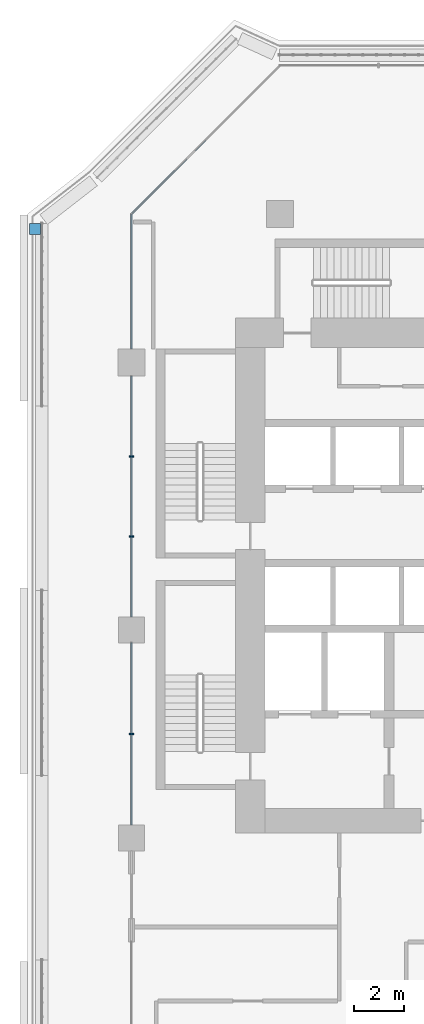
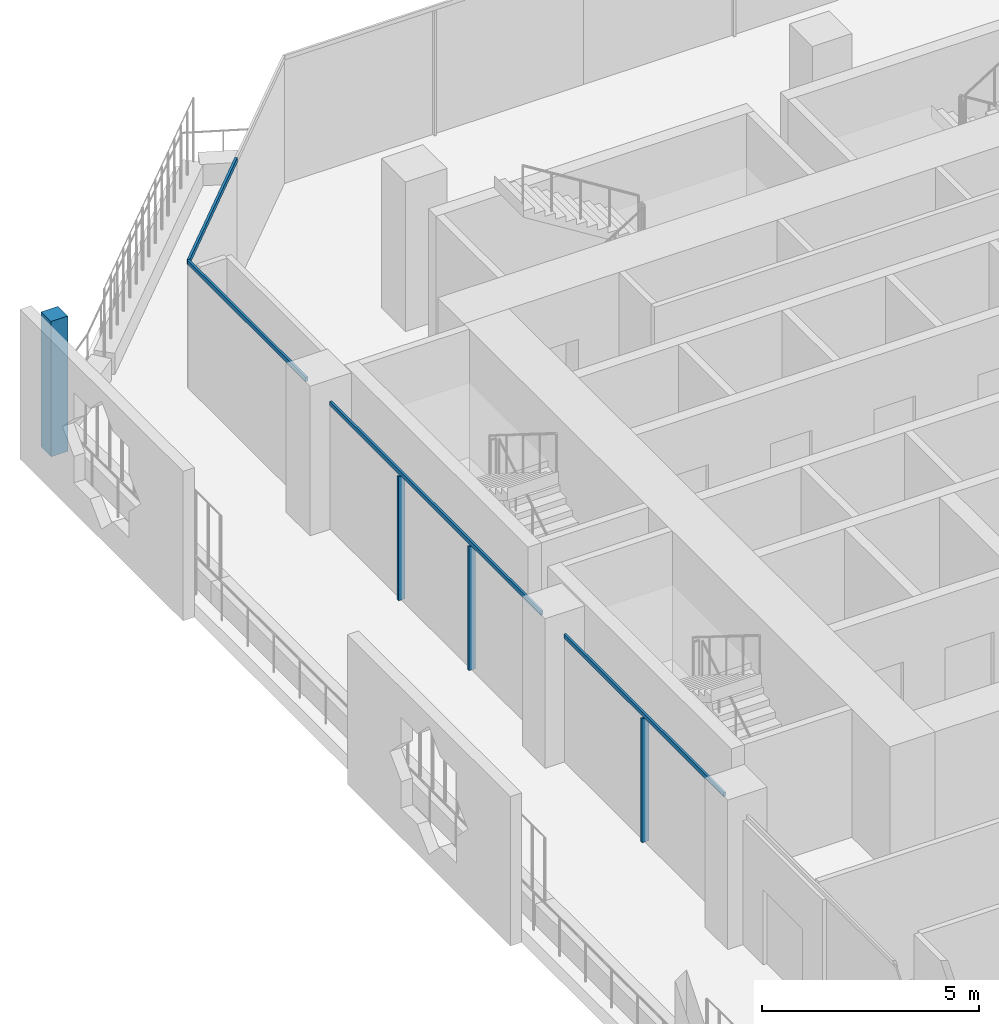
# One storey, part 5 of 25: 8 members, 3 elements without a shape of their own.
"""IFC4 building model written with IfcOpenShell, lengths in metres."""

from ifc_helpers import new_model, si_unit, direction, frame, origin, origin_2d, place, context, subcontext, project, spatial, rectangle, extrude, material, layer, layer_set, material_profile, profile_set, type_object, element, aggregate, save


model = new_model("IFC4")

# Units and contexts
model_context = context("Model", 3, precision=1e-05, world=origin(), true_north=direction((0.0, 1.0)))
body_context = subcontext(model_context, "Body", "Model", "MODEL_VIEW")
ifc_project = project(units=[si_unit("LENGTHUNIT", "METRE"), si_unit("AREAUNIT", "SQUARE_METRE"), si_unit("VOLUMEUNIT", "CUBIC_METRE"), si_unit("PLANEANGLEUNIT", "RADIAN"), si_unit("MASSUNIT", "GRAM", prefix="KILO")], contexts=[model_context])

# Site, building, storey
site_placement = place(None, origin())
site = spatial("IfcSite", under=ifc_project, at=site_placement, CompositionType="ELEMENT")
building_placement = place(site_placement, origin())
building = spatial("IfcBuilding", under=site, at=building_placement, Name="Kawkab Arch Medical Tower", CompositionType="ELEMENT")
storey_placement = place(building_placement, frame((0.0, 0.0, 145.0)))
storey = spatial("IfcBuildingStorey", under=building, at=storey_placement, Name="L33", CompositionType="ELEMENT", Elevation=145.0)

# Curtain wall, members
ifc_material_1 = material(Name="Bronze anodised aluminium curtain wall frame", Category="aluminium")
ifc_layer_1 = layer(ifc_material_1, 0.159912109375)
ifc_layer_set_1 = layer_set([ifc_layer_1], Name="Bronze anodised aluminium curtain wall frame")
curtain_wall_type_1 = type_object("IfcCurtainWallType", Name="CW1 ward curtain wall", PredefinedType="NOTDEFINED", material=ifc_layer_set_1)
placement = place(storey_placement, origin())
curtain_wall_1 = element("IfcCurtainWall", 1, at=placement, inside=storey, type_object=curtain_wall_type_1, Name="CW1 Ward curtain wall R01", PredefinedType="NOTDEFINED")
ifc_material_2 = material(Name="Bronze anodised aluminium curtain wall frame", Category="aluminium")
ifc_material_profile_1 = material_profile(ifc_material_2, rectangle(XDim=0.179931640625, YDim=0.06005859375, at=origin_2d()), Name="AL 60x180")
ifc_profile_set_1 = profile_set([ifc_material_profile_1], Name="Bronze anodised aluminium curtain wall frame")
member_type_1 = type_object("IfcMemberType", Name="CW1 mullion 60 x 180", PredefinedType="MULLION", material=ifc_profile_set_1)
member_1_placement = place(storey_placement, frame((0.0, -9.791748046875, 0.0), z_axis=(0.0, 0.0, 1.0), x_axis=(1.0, 0.0, 0.0)))
member_1 = element("IfcMember", 2, at=member_1_placement, type_object=member_type_1, Name="CW1 mullion 2.1", PredefinedType="MULLION", context=body_context, shape_type="SweptSolid", body=[
    extrude(rectangle(XDim=0.179931640625, YDim=0.06005859375, at=origin_2d()), origin(), (0.0, 0.0, 1.0), 3.47998046875),
])
member_2_placement = place(storey_placement, frame((0.0, -13.033447265625, 0.0), z_axis=(0.0, 0.0, 1.0), x_axis=(1.0, 0.0, 0.0)))
member_2 = element("IfcMember", 3, at=member_2_placement, type_object=member_type_1, Name="CW1 mullion 2.2", PredefinedType="MULLION", context=body_context, shape_type="SweptSolid", body=[
    extrude(rectangle(XDim=0.179931640625, YDim=0.06005859375, at=origin_2d()), origin(), (0.0, 0.0, 1.0), 3.47998046875),
])
member_3_placement = place(storey_placement, frame((0.0, -21.0, 0.0), z_axis=(0.0, 0.0, 1.0), x_axis=(1.0, 0.0, 0.0)))
member_3 = element("IfcMember", 4, at=member_3_placement, type_object=member_type_1, Name="CW1 mullion 3.1", PredefinedType="MULLION", context=body_context, shape_type="SweptSolid", body=[
    extrude(rectangle(XDim=0.179931640625, YDim=0.06005859375, at=origin_2d()), origin(), (0.0, 0.0, 1.0), 3.47998046875),
])
ifc_material_3 = material(Name="Bronze anodised aluminium curtain wall frame", Category="aluminium")
ifc_material_profile_2 = material_profile(ifc_material_3, rectangle(XDim=0.06005859375, YDim=0.1201171875, at=origin_2d()), Name="AL 60x120")
ifc_profile_set_2 = profile_set([ifc_material_profile_2], Name="Bronze anodised aluminium curtain wall frame")
member_type_2 = type_object("IfcMemberType", Name="CW1 transom 120 x 60", PredefinedType="USERDEFINED", material=ifc_profile_set_2)
member_4_placement = place(storey_placement, frame((0.0, 0.0, 3.5400390625), z_axis=(0.0, -1.0, 0.0), x_axis=(1.0, 0.0, 0.0)))
member_4 = element("IfcMember", 5, at=member_4_placement, type_object=member_type_2, Name="CW1 transom 1", ObjectType="TRANSOM", PredefinedType="USERDEFINED", context=body_context, shape_type="SweptSolid", body=[
    extrude(rectangle(XDim=0.06005859375, YDim=0.1201171875, at=origin_2d()), origin(), (0.0, 0.0, 1.0), 5.449951171875),
])
member_5_placement = place(storey_placement, frame((0.0, -6.550048828125, 3.5400390625), z_axis=(0.0, -1.0, 0.0), x_axis=(1.0, 0.0, 0.0)))
member_5 = element("IfcMember", 6, at=member_5_placement, type_object=member_type_2, Name="CW1 transom 2", ObjectType="TRANSOM", PredefinedType="USERDEFINED", context=body_context, shape_type="SweptSolid", body=[
    extrude(rectangle(XDim=0.06005859375, YDim=0.1201171875, at=origin_2d()), origin(), (0.0, 0.0, 1.0), 9.724853515625),
])
member_6_placement = place(storey_placement, frame((0.0, -17.324951171875, 3.5400390625), z_axis=(0.0, -1.0, 0.0), x_axis=(1.0, 0.0, 0.0)))
member_6 = element("IfcMember", 7, at=member_6_placement, type_object=member_type_2, Name="CW1 transom 3", ObjectType="TRANSOM", PredefinedType="USERDEFINED", context=body_context, shape_type="SweptSolid", body=[
    extrude(rectangle(XDim=0.06005859375, YDim=0.1201171875, at=origin_2d()), origin(), (0.0, 0.0, 1.0), 7.35009765625),
])
aggregate(curtain_wall_1, [member_4, member_5, member_1, member_2, member_6, member_3])

# Curtain wall, member
ifc_material_4 = material(Name="Bronze anodised aluminium curtain wall frame", Category="aluminium")
ifc_layer_2 = layer(ifc_material_4, 0.159912109375)
ifc_layer_set_2 = layer_set([ifc_layer_2], Name="Bronze anodised aluminium curtain wall frame")
curtain_wall_type_2 = type_object("IfcCurtainWallType", Name="CW2 chamfer curtain wall", PredefinedType="NOTDEFINED", material=ifc_layer_set_2)
curtain_wall_2 = element("IfcCurtainWall", 8, at=placement, inside=storey, type_object=curtain_wall_type_2, Name="CW2 Chamfer curtain wall R12", PredefinedType="NOTDEFINED")
ifc_material_5 = material(Name="Bronze anodised aluminium curtain wall frame", Category="aluminium")
ifc_material_profile_3 = material_profile(ifc_material_5, rectangle(XDim=0.06005859375, YDim=0.139892578125, at=origin_2d()), Name="AL 60x140")
ifc_profile_set_3 = profile_set([ifc_material_profile_3], Name="Bronze anodised aluminium curtain wall frame")
member_type_3 = type_object("IfcMemberType", Name="CW2 transom 140 x 60", PredefinedType="USERDEFINED", material=ifc_profile_set_3)
member_7_placement = place(storey_placement, frame((3.0, 3.0, 3.530029296875), z_axis=(-0.707106781187, -0.707106781187, 0.0), x_axis=(0.707106781187, -0.707106781187, 0.0)))
member_7 = element("IfcMember", 9, at=member_7_placement, type_object=member_type_3, Name="CW2 transom 2", ObjectType="TRANSOM", PredefinedType="USERDEFINED", context=body_context, shape_type="SweptSolid", body=[
    extrude(rectangle(XDim=0.06005859375, YDim=0.139892578125, at=origin_2d()), origin(), (0.0, 0.0, 1.0), 4.24267578125),
])
aggregate(curtain_wall_2, [member_7])

ifc_material_6 = material(Name="Bronze anodised aluminium climber frame, planted", Category="aluminium")
ifc_layer_3 = layer(ifc_material_6, 0.449951171875)
ifc_layer_set_3 = layer_set([ifc_layer_3], Name="Bronze anodised aluminium climber frame, planted")
curtain_wall_type_3 = type_object("IfcCurtainWallType", Name="Planted climber frame", PredefinedType="NOTDEFINED", material=ifc_layer_set_3)
curtain_wall_3 = element("IfcCurtainWall", 10, at=placement, inside=storey, type_object=curtain_wall_type_3, Name="Planted climber frame L33", PredefinedType="NOTDEFINED")
ifc_material_7 = material(Name="Bronze anodised aluminium climber frame, planted", Category="aluminium")
ifc_material_profile_4 = material_profile(ifc_material_7, rectangle(XDim=0.449951171875, YDim=0.449951171875, at=origin_2d()), Name="Post 450x450")
ifc_profile_set_4 = profile_set([ifc_material_profile_4], Name="Bronze anodised aluminium climber frame, planted")
member_type_4 = type_object("IfcMemberType", Name="Planted climber post 450 x 450", PredefinedType="MULLION", material=ifc_profile_set_4)
member_8_placement = place(storey_placement, frame((-3.89990234375, -0.596923828125, 0.0), z_axis=(0.0, 0.0, 1.0), x_axis=(1.0, 0.0, 0.0)))
member_8 = element("IfcMember", 11, at=member_8_placement, type_object=member_type_4, Name="Planted climber post L33.LOG-01-01.2", PredefinedType="MULLION", context=body_context, shape_type="SweptSolid", body=[
    extrude(rectangle(XDim=0.449951171875, YDim=0.449951171875, at=origin_2d()), origin(), (0.0, 0.0, 1.0), 3.800048828125),
])
aggregate(curtain_wall_3, [member_8])

save(model, "model.ifc")
